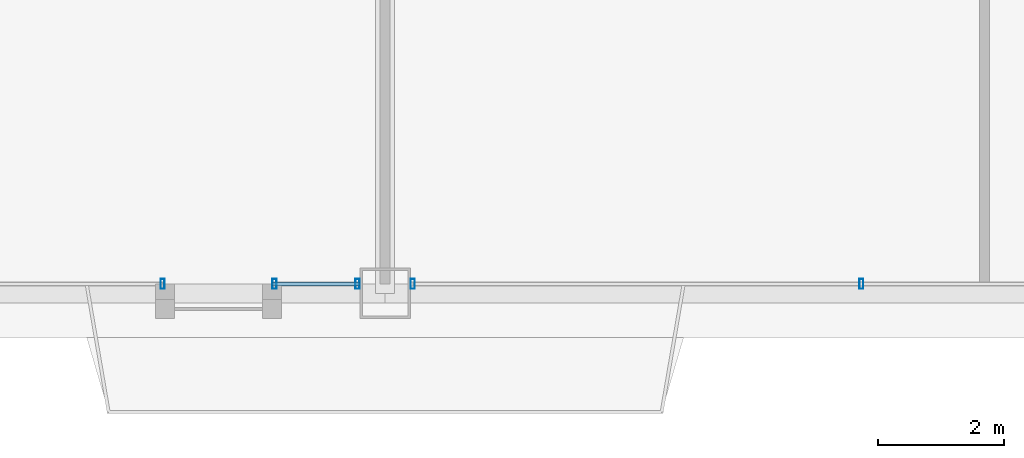
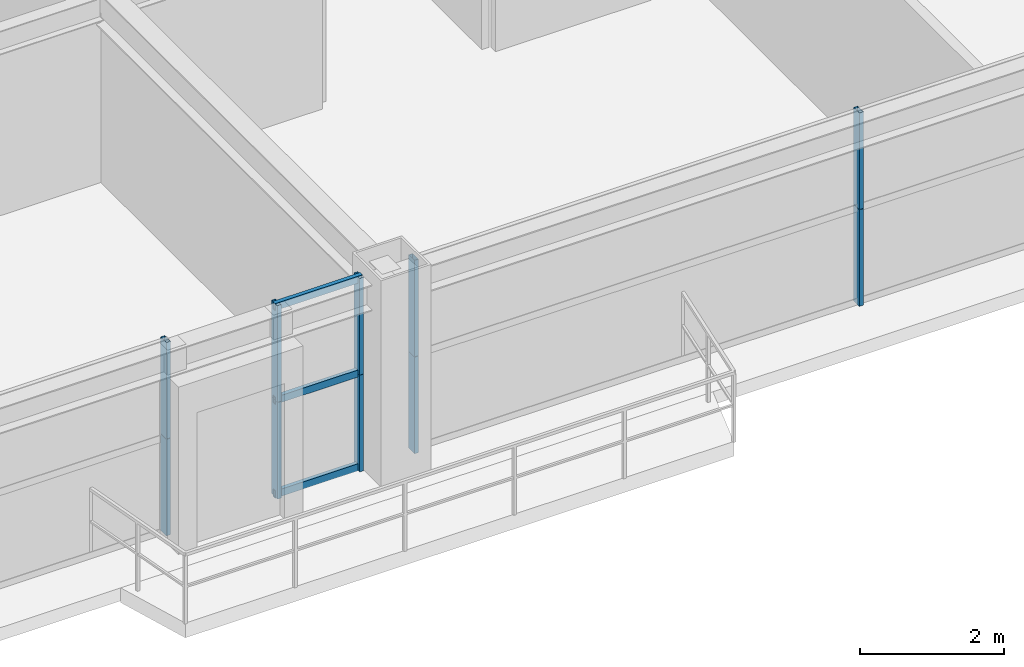
# One storey, part 11 of 42: 13 members, 3 elements without a shape of their own.
"""IFC4 building model written with IfcOpenShell, lengths in metres."""

import ifcopenshell
import ifcopenshell.guid

model = None  # the IFC model being written
_history = None  # IfcOwnerHistory: only IFC2X3 demands one
_inside = {}  # id of a spatial element -> (the spatial element, [elements in it])
_under = {}  # id of a project, library or spatial element -> (it, [spatial elements below it])
_declared = {}  # id of a project -> (the project, [libraries it declares])
_typed = {}  # id of a type object -> (the type object, [elements of that type])
_made_of = {}  # id of a material, layer set ... -> (it, [elements and type objects made of it])


def new_model(schema):
    """Start an empty IFC model of exactly this schema.

    Asked for "IFC4X3", IfcOpenShell would pick the latest addendum, in which some entities
    have other attributes; the version numbers below select the first issue.
    IFC2X3 requires an IfcOwnerHistory on every rooted entity: one is made here for all.
    """
    global model, _history
    if schema == "IFC4X3":
        model = ifcopenshell.file(schema_version=(4, 3, 0, 0))
    else:
        model = ifcopenshell.file(schema=schema)
    _inside.clear()
    _under.clear()
    _declared.clear()
    _typed.clear()
    _made_of.clear()
    _history = None
    if model.schema == "IFC2X3":
        org = make("IfcOrganization", Name="unknown")
        user = make(
            "IfcPersonAndOrganization",
            ThePerson=make("IfcPerson", FamilyName="unknown"),
            TheOrganization=org,
        )
        app = make(
            "IfcApplication",
            ApplicationDeveloper=org,
            Version="unknown",
            ApplicationFullName="unknown",
            ApplicationIdentifier="unknown",
        )
        _history = make(
            "IfcOwnerHistory",
            OwningUser=user,
            OwningApplication=app,
            ChangeAction="ADDED",
            CreationDate=0,
        )
    return model


def make(cls, **values):
    """One entity of the class cls with the attributes given. An attribute that is None is left unset."""
    return model.create_entity(
        cls, **{name: value for name, value in values.items() if value is not None}
    )


def rooted(cls, **values):
    """An entity with a GlobalId (a new one), such as an element, a storey or a relation."""
    return make(cls, GlobalId=ifcopenshell.guid.new(), OwnerHistory=_history, **values)


def si_unit(unit_type, name, prefix=None):
    """IfcSIUnit, for example si_unit("LENGTHUNIT", "METRE", prefix="MILLI")."""
    return make("IfcSIUnit", UnitType=unit_type, Prefix=prefix, Name=name)


def assignment(units):
    """IfcUnitAssignment: the units of a project."""
    return None if units is None else make("IfcUnitAssignment", Units=units)


def point(xyz):
    """IfcCartesianPoint."""
    return None if xyz is None else make("IfcCartesianPoint", Coordinates=xyz)


def direction(xyz):
    """IfcDirection."""
    return None if xyz is None else make("IfcDirection", DirectionRatios=xyz)


def frame(location, z_axis=None, x_axis=None):
    """IfcAxis2Placement3D, a coordinate frame: its origin and axes. An axis left out is left unset."""
    return make(
        "IfcAxis2Placement3D",
        Location=point(location),
        Axis=direction(z_axis),
        RefDirection=direction(x_axis),
    )


def frame_2d(location, x_axis=None):
    """IfcAxis2Placement2D, a coordinate frame in the plane: its origin and x axis."""
    return make(
        "IfcAxis2Placement2D", Location=point(location), RefDirection=direction(x_axis)
    )


def origin():
    """The frame at (0, 0, 0) with its axes left unset."""
    return frame((0.0, 0.0, 0.0))


def origin_2d():
    """The frame at (0, 0) in the plane with its x axis left unset."""
    return frame_2d((0.0, 0.0))


def place(relative_to, where):
    """IfcLocalPlacement: puts the frame where relative to a parent placement (None: the world)."""
    return make(
        "IfcLocalPlacement", PlacementRelTo=relative_to, RelativePlacement=where
    )


def context(
    kind, dimensions, precision=None, world=None, true_north=None, identifier=None
):
    """IfcGeometricRepresentationContext, for example the 3D "Model" context."""
    return make(
        "IfcGeometricRepresentationContext",
        ContextIdentifier=identifier,
        ContextType=kind,
        CoordinateSpaceDimension=dimensions,
        Precision=precision,
        WorldCoordinateSystem=world,
        TrueNorth=true_north,
    )


def subcontext(parent, identifier, kind, view, scale=None):
    """IfcGeometricRepresentationSubContext, for example "Body" below "Model"."""
    return make(
        "IfcGeometricRepresentationSubContext",
        ContextIdentifier=identifier,
        ContextType=kind,
        ParentContext=parent,
        TargetScale=scale,
        TargetView=view,
    )


def project(units=None, contexts=None):
    """IfcProject with its units and contexts."""
    return rooted(
        "IfcProject",
        Name="project",
        RepresentationContexts=contexts,
        UnitsInContext=assignment(units),
    )


def spatial(cls, under=None, at=None, **own):
    """A site, building, storey or space (cls), placed at a placement, below another one or the project."""
    s = rooted(cls, ObjectPlacement=at, **own)
    if under is not None:
        _under.setdefault(under.id(), (under, []))[1].append(s)
    return s


def profile(cls, at=None, kind="AREA", **sizes):
    """A parametric profile (cls). Its sizes go by their IFC names, for example OverallWidth=200.0."""
    return make(cls, ProfileType=kind, Position=at, **sizes)


def hollow_rectangle(**sizes):
    """IfcRectangleHollowProfileDef."""
    return profile("IfcRectangleHollowProfileDef", **sizes)


def extrude(swept, where, along, depth):
    """IfcExtrudedAreaSolid: the profile swept, set in the frame where, extruded along a direction by depth."""
    return make(
        "IfcExtrudedAreaSolid",
        SweptArea=swept,
        Position=where,
        ExtrudedDirection=direction(along),
        Depth=depth,
    )


def shape(context_of_items, identifier, shape_type, items):
    """IfcShapeRepresentation: the items that make up one representation, for example the "Body"."""
    return make(
        "IfcShapeRepresentation",
        ContextOfItems=context_of_items,
        RepresentationIdentifier=identifier,
        RepresentationType=shape_type,
        Items=items,
    )


def source(mapping_origin, context_of_items, identifier, shape_type, items):
    """IfcRepresentationMap: a shape defined once, which mapped items show again and again."""
    return make(
        "IfcRepresentationMap",
        MappingOrigin=mapping_origin,
        MappedRepresentation=shape(context_of_items, identifier, shape_type, items),
    )


def transform(
    local_origin,
    x_axis=None,
    y_axis=None,
    z_axis=None,
    scale=None,
    scale2=None,
    scale3=None,
    uniform=True,
):
    """IfcCartesianTransformationOperator3D, or its non-uniform kind. x_axis, y_axis, z_axis: its Axis1, 2, 3."""
    if uniform:
        return make(
            "IfcCartesianTransformationOperator3D",
            Axis1=direction(x_axis),
            Axis2=direction(y_axis),
            LocalOrigin=point(local_origin),
            Scale=scale,
            Axis3=direction(z_axis),
        )
    return make(
        "IfcCartesianTransformationOperator3DnonUniform",
        Axis1=direction(x_axis),
        Axis2=direction(y_axis),
        LocalOrigin=point(local_origin),
        Scale=scale,
        Axis3=direction(z_axis),
        Scale2=scale2,
        Scale3=scale3,
    )


def mapped(mapping_source, mapping_target):
    """IfcMappedItem: shows the shape of a source again, moved by a transform."""
    return make(
        "IfcMappedItem", MappingSource=mapping_source, MappingTarget=mapping_target
    )


def material(Name=None, Category=None):
    """IfcMaterial."""
    return make("IfcMaterial", Name=Name, Category=Category)


def layer(
    of_material, thickness, ventilated=None, Name=None, Category=None, Priority=None
):
    """IfcMaterialLayer: one layer of a wall or slab, of a material (None: an air gap)."""
    return make(
        "IfcMaterialLayer",
        Material=of_material,
        LayerThickness=thickness,
        IsVentilated=ventilated,
        Name=Name,
        Category=Category,
        Priority=Priority,
    )


def layer_set(layers, Name=None):
    """IfcMaterialLayerSet."""
    return make("IfcMaterialLayerSet", MaterialLayers=layers, LayerSetName=Name)


def material_profile(
    of_material, cross_section, Name=None, Category=None, Priority=None
):
    """IfcMaterialProfile: a cross section and its material."""
    return make(
        "IfcMaterialProfile",
        Name=Name,
        Material=of_material,
        Profile=cross_section,
        Priority=Priority,
        Category=Category,
    )


def profile_set(profiles, Name=None, composite=None):
    """IfcMaterialProfileSet."""
    return make(
        "IfcMaterialProfileSet",
        Name=Name,
        MaterialProfiles=profiles,
        CompositeProfile=composite,
    )


def made_of(thing, what):
    """Note that an element or type object is made of a material, layer set ...; save() writes the relation."""
    if what is not None:
        _made_of.setdefault(what.id(), (what, []))[1].append(thing)
    return thing


def type_object(cls, material=None, **own):
    """A type object (cls), such as IfcWallType, which elements share."""
    return made_of(rooted(cls, **own), material)


def element(
    cls,
    number,
    at=None,
    inside=None,
    cuts=None,
    type_object=None,
    material=None,
    context=None,
    identifier="Body",
    shape_type=None,
    held_by="IfcProductDefinitionShape",
    body=None,
    shapes=None,
    **own,
):
    """One element of the class cls, such as IfcWall. Its Tag is "e" and its number.

    at: its placement. inside: the storey or other place that contains it. cuts: it is an
    opening in that element (IfcRelVoidsElement). A single representation is given by context,
    identifier, shape_type and body (its items); several are given by shapes. held_by: the class
    of the entity that holds the representations. save() writes the other relations.
    """
    e = rooted(cls, Tag="e%d" % number, ObjectPlacement=at, **own)
    if body is not None:
        shapes = [shape(context, identifier, shape_type, body)]
    if shapes is not None:
        e.Representation = make(held_by, Representations=shapes)
    if inside is not None:
        _inside.setdefault(inside.id(), (inside, []))[1].append(e)
    if cuts is not None:
        rooted(
            "IfcRelVoidsElement", RelatingBuildingElement=cuts, RelatedOpeningElement=e
        )
    if type_object is not None:
        _typed.setdefault(type_object.id(), (type_object, []))[1].append(e)
    return made_of(e, material)


def aggregate(whole, parts):
    """IfcRelAggregates: a whole, such as a stair, and the parts it consists of."""
    return rooted("IfcRelAggregates", RelatingObject=whole, RelatedObjects=parts)


def save(model, path):
    """Write the relations noted so far, then the file.

    IfcRelAggregates (storeys below a building ...), IfcRelContainedInSpatialStructure (elements
    in a storey), IfcRelDefinesByType, IfcRelAssociatesMaterial and IfcRelDeclares: one each for
    every whole, place, type object, material and project.
    """
    for whole, parts in _under.values():
        aggregate(whole, parts)
    for where, things in _inside.values():
        rooted(
            "IfcRelContainedInSpatialStructure",
            RelatedElements=things,
            RelatingStructure=where,
        )
    for kind, things in _typed.values():
        rooted("IfcRelDefinesByType", RelatedObjects=things, RelatingType=kind)
    for what, things in _made_of.values():
        rooted("IfcRelAssociatesMaterial", RelatedObjects=things, RelatingMaterial=what)
    for by, libraries in _declared.values():
        rooted("IfcRelDeclares", RelatingContext=by, RelatedDefinitions=libraries)
    model.write(path)


model = new_model("IFC4")

# Units and contexts
model_context = context("Model", 3, precision=1e-05, world=origin(), true_north=direction((0.0, 1.0)))
body_context = subcontext(model_context, "Body", "Model", "MODEL_VIEW")
ifc_project = project(units=[si_unit("LENGTHUNIT", "METRE"), si_unit("AREAUNIT", "SQUARE_METRE"), si_unit("VOLUMEUNIT", "CUBIC_METRE"), si_unit("PLANEANGLEUNIT", "RADIAN"), si_unit("MASSUNIT", "GRAM", prefix="KILO"), si_unit("THERMODYNAMICTEMPERATUREUNIT", "KELVIN"), si_unit("POWERUNIT", "WATT")], contexts=[model_context])

# Site, building, storey
site_placement = place(None, origin())
site = spatial("IfcSite", under=ifc_project, at=site_placement, CompositionType="ELEMENT")
building_placement = place(site_placement, origin())
building = spatial("IfcBuilding", under=site, at=building_placement, Name="Yuzanri Waterfront Tower", CompositionType="ELEMENT")
storey_placement = place(building_placement, frame((0.0, 0.0, 184.5)))
storey = spatial("IfcBuildingStorey", under=building, at=storey_placement, Name="L48", CompositionType="ELEMENT", Elevation=184.5)

# Curtain wall, members
ifc_material_1 = material(Name="Anodized Architectural Bronze", Category="metal")
ifc_layer = layer(ifc_material_1, 0.159912109375)
ifc_layer_set = layer_set([ifc_layer], Name="Anodized Architectural Bronze")
curtain_wall_type = type_object("IfcCurtainWallType", Name="Anodized Bronze Mid-Rise Residential Acoustic Unitized Curtain Wall 7200", PredefinedType="NOTDEFINED", material=ifc_layer_set)
curtain_wall_1_placement = place(storey_placement, origin())
curtain_wall_1 = element("IfcCurtainWall", 1, at=curtain_wall_1_placement, inside=storey, type_object=curtain_wall_type, Name="L48 Curtain Wall CW-L48-SL1", PredefinedType="NOTDEFINED")
ifc_material_2 = material(Name="Anodized Architectural Bronze", Category="metal")
ifc_material_profile_1 = material_profile(ifc_material_2, hollow_rectangle(XDim=0.06494140625, YDim=0.159912109375, WallThickness=0.00341796875, at=origin_2d()), Name="CWM 65x160")
ifc_profile_set_1 = profile_set([ifc_material_profile_1], Name="Anodized Architectural Bronze")
member_type_1 = type_object("IfcMemberType", Name="Anodized Bronze Upper-Zone Curtain-Wall Mullion 65x160", PredefinedType="MULLION", material=ifc_profile_set_1)
shared_shape_1 = source(origin(), body_context, "Body", "SweptSolid", [
    extrude(hollow_rectangle(XDim=0.06494140625, YDim=0.159912109375, WallThickness=0.00341796875, at=origin_2d()), origin(), (0.0, 0.0, 1.0), 1.637939453125),
])
member_1_placement = place(storey_placement, frame((33.4599609375, 3.85009765625, 0.0), z_axis=(0.0, 0.0, 1.0), x_axis=(1.0, 0.0, 0.0)))
member_1 = element("IfcMember", 2, at=member_1_placement, type_object=member_type_1, Name="CW-L48-SL1 Lower Mullion 02", PredefinedType="MULLION", context=body_context, shape_type="MappedRepresentation", body=[
    mapped(shared_shape_1, transform((0.0, 0.0, 0.0), scale=1.0)),
])
member_2_placement = place(storey_placement, frame((33.4599609375, 3.85009765625, 1.64208984375), z_axis=(0.0, 0.0, 1.0), x_axis=(1.0, 0.0, 0.0)))
member_2 = element("IfcMember", 3, at=member_2_placement, type_object=member_type_1, Name="CW-L48-SL1 Upper Mullion 02", PredefinedType="MULLION", context=body_context, shape_type="MappedRepresentation", body=[
    mapped(shared_shape_1, transform((0.0, 0.0, 0.0), scale=1.0)),
])
aggregate(curtain_wall_1, [member_1, member_2])

curtain_wall_2_placement = place(storey_placement, origin())
curtain_wall_2 = element("IfcCurtainWall", 4, at=curtain_wall_2_placement, inside=storey, type_object=curtain_wall_type, Name="L48 Curtain Wall CW-L48-SL2", PredefinedType="NOTDEFINED")
member_3_placement = place(storey_placement, frame((35.239990234375, 3.85009765625, 0.0), z_axis=(0.0, 0.0, 1.0), x_axis=(1.0, 0.0, 0.0)))
member_3 = element("IfcMember", 5, at=member_3_placement, type_object=member_type_1, Name="CW-L48-SL2 Lower Mullion 00", PredefinedType="MULLION", context=body_context, shape_type="MappedRepresentation", body=[
    mapped(shared_shape_1, transform((0.0, 0.0, 0.0), scale=1.0)),
])
member_4_placement = place(storey_placement, frame((35.239990234375, 3.85009765625, 1.64208984375), z_axis=(0.0, 0.0, 1.0), x_axis=(1.0, 0.0, 0.0)))
member_4 = element("IfcMember", 6, at=member_4_placement, type_object=member_type_1, Name="CW-L48-SL2 Upper Mullion 00", PredefinedType="MULLION", context=body_context, shape_type="MappedRepresentation", body=[
    mapped(shared_shape_1, transform((0.0, 0.0, 0.0), scale=1.0)),
])
member_5_placement = place(storey_placement, frame((36.56005859375, 3.85009765625, 0.0), z_axis=(0.0, 0.0, 1.0), x_axis=(1.0, 0.0, 0.0)))
member_5 = element("IfcMember", 7, at=member_5_placement, type_object=member_type_1, Name="CW-L48-SL2 Lower Mullion 01", PredefinedType="MULLION", context=body_context, shape_type="MappedRepresentation", body=[
    mapped(shared_shape_1, transform((0.0, 0.0, 0.0), scale=1.0)),
])
member_6_placement = place(storey_placement, frame((36.56005859375, 3.85009765625, 1.64208984375), z_axis=(0.0, 0.0, 1.0), x_axis=(1.0, 0.0, 0.0)))
member_6 = element("IfcMember", 8, at=member_6_placement, type_object=member_type_1, Name="CW-L48-SL2 Upper Mullion 01", PredefinedType="MULLION", context=body_context, shape_type="MappedRepresentation", body=[
    mapped(shared_shape_1, transform((0.0, 0.0, 0.0), scale=1.0)),
])

curtain_wall_3_placement = place(storey_placement, origin())
curtain_wall_3 = element("IfcCurtainWall", 9, at=curtain_wall_3_placement, inside=storey, type_object=curtain_wall_type, Name="L48 Curtain Wall CW-L48-SR", PredefinedType="NOTDEFINED")
member_7_placement = place(storey_placement, frame((37.43994140625, 3.85009765625, 0.0), z_axis=(0.0, 0.0, 1.0), x_axis=(1.0, 0.0, 0.0)))
member_7 = element("IfcMember", 10, at=member_7_placement, type_object=member_type_1, Name="CW-L48-SR Lower Mullion 00", PredefinedType="MULLION", context=body_context, shape_type="MappedRepresentation", body=[
    mapped(shared_shape_1, transform((0.0, 0.0, 0.0), scale=1.0)),
])
member_8_placement = place(storey_placement, frame((37.43994140625, 3.85009765625, 1.64208984375), z_axis=(0.0, 0.0, 1.0), x_axis=(1.0, 0.0, 0.0)))
member_8 = element("IfcMember", 11, at=member_8_placement, type_object=member_type_1, Name="CW-L48-SR Upper Mullion 00", PredefinedType="MULLION", context=body_context, shape_type="MappedRepresentation", body=[
    mapped(shared_shape_1, transform((0.0, 0.0, 0.0), scale=1.0)),
])
member_9_placement = place(storey_placement, frame((44.574951171875, 3.85009765625, 0.0), z_axis=(0.0, 0.0, 1.0), x_axis=(1.0, 0.0, 0.0)))
member_9 = element("IfcMember", 12, at=member_9_placement, type_object=member_type_1, Name="CW-L48-SR Lower Mullion 01", PredefinedType="MULLION", context=body_context, shape_type="MappedRepresentation", body=[
    mapped(shared_shape_1, transform((0.0, 0.0, 0.0), scale=1.0)),
])
member_10_placement = place(storey_placement, frame((44.574951171875, 3.85009765625, 1.64208984375), z_axis=(0.0, 0.0, 1.0), x_axis=(1.0, 0.0, 0.0)))
member_10 = element("IfcMember", 13, at=member_10_placement, type_object=member_type_1, Name="CW-L48-SR Upper Mullion 01", PredefinedType="MULLION", context=body_context, shape_type="MappedRepresentation", body=[
    mapped(shared_shape_1, transform((0.0, 0.0, 0.0), scale=1.0)),
])
aggregate(curtain_wall_3, [member_7, member_8, member_9, member_10])

# Member
ifc_material_3 = material(Name="Anodized Architectural Bronze", Category="metal")
ifc_material_profile_2 = material_profile(ifc_material_3, hollow_rectangle(XDim=0.06494140625, YDim=0.1201171875, WallThickness=0.00341796875, at=origin_2d()), Name="CWT 65x120")
ifc_profile_set_2 = profile_set([ifc_material_profile_2], Name="Anodized Architectural Bronze")
member_type_2 = type_object("IfcMemberType", Name="Anodized Bronze Secondary Curtain-Wall Transom 65x120", PredefinedType="USERDEFINED", material=ifc_profile_set_2)
shared_shape_2 = source(origin(), body_context, "Body", "SweptSolid", [
    extrude(hollow_rectangle(XDim=0.06494140625, YDim=0.1201171875, WallThickness=0.00341796875, at=origin_2d()), origin(), (0.0, 0.0, 1.0), 1.400146484375),
])
member_11_placement = place(storey_placement, frame((35.199951171875, 3.85009765625, 0.050048828125), z_axis=(1.0, 0.0, 0.0), x_axis=(0.0, 1.0, 0.0)))
member_11 = element("IfcMember", 14, at=member_11_placement, type_object=member_type_2, Name="CW-L48-SL2 Transom 1", ObjectType="TRANSOM", PredefinedType="USERDEFINED", context=body_context, shape_type="MappedRepresentation", body=[
    mapped(shared_shape_2, transform((0.0, 0.0, 0.0), scale=1.0)),
])

member_12_placement = place(storey_placement, frame((35.199951171875, 3.85009765625, 1.639892578125), z_axis=(1.0, 0.0, 0.0), x_axis=(0.0, 1.0, 0.0)))
member_12 = element("IfcMember", 15, at=member_12_placement, type_object=member_type_2, Name="CW-L48-SL2 Transom 2", ObjectType="TRANSOM", PredefinedType="USERDEFINED", context=body_context, shape_type="MappedRepresentation", body=[
    mapped(shared_shape_2, transform((0.0, 0.0, 0.0), scale=1.0)),
])

member_13_placement = place(storey_placement, frame((35.199951171875, 3.85009765625, 3.22998046875), z_axis=(1.0, 0.0, 0.0), x_axis=(0.0, 1.0, 0.0)))
member_13 = element("IfcMember", 16, at=member_13_placement, type_object=member_type_2, Name="CW-L48-SL2 Transom 3", ObjectType="TRANSOM", PredefinedType="USERDEFINED", context=body_context, shape_type="MappedRepresentation", body=[
    mapped(shared_shape_2, transform((0.0, 0.0, 0.0), scale=1.0)),
])

aggregate(curtain_wall_2, [member_3, member_4, member_5, member_6, member_11, member_12, member_13])

save(model, "model.ifc")
